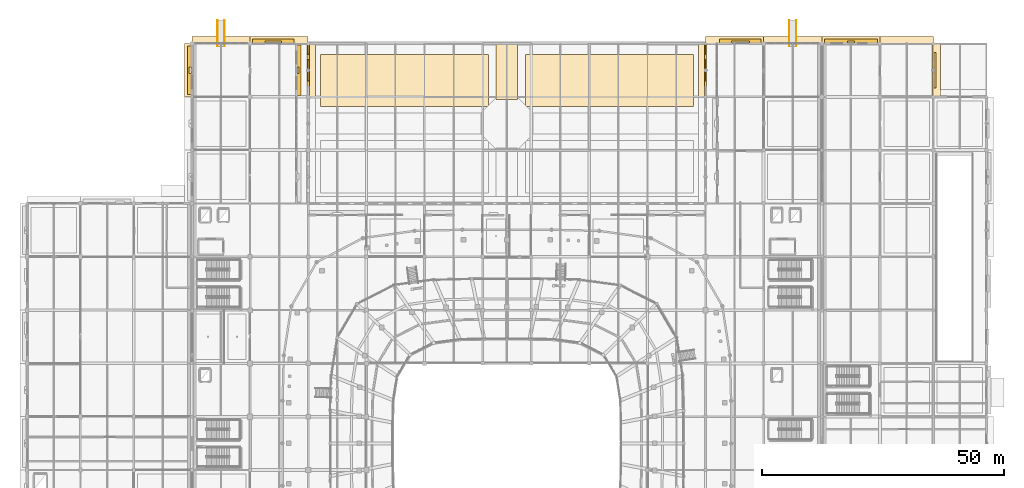
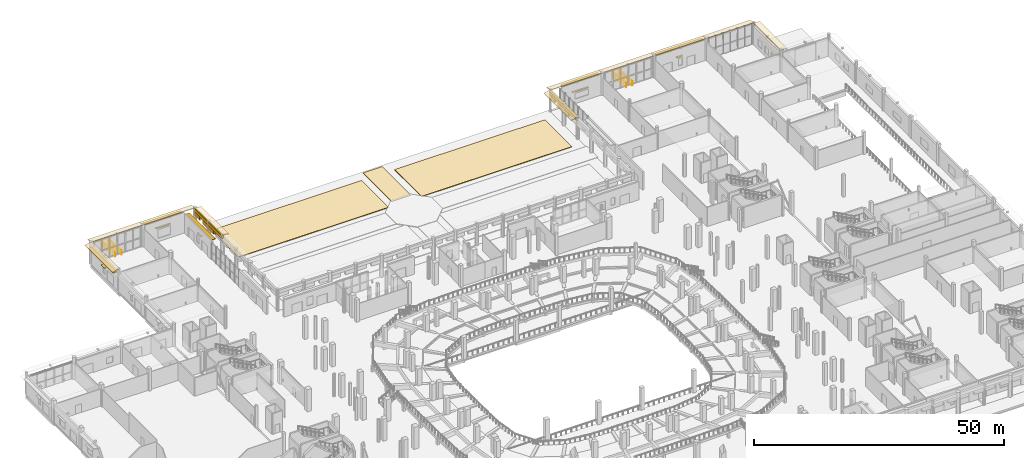
# One storey, part 120 of 120: 29 coverings, 5 shading devices, 4 railings.
"""IFC4 building model written with IfcOpenShell, lengths in metres."""

from ifc_helpers import new_model, si_unit, direction, frame, origin, origin_2d, place, context, subcontext, project, spatial, polyline, rectangle, circle, outline, extrude, material, layer, layer_set, type_object, element, save


model = new_model("IFC4")

# Units and contexts
model_context = context("Model", 3, precision=1e-05, world=origin(), true_north=direction((0.0, 1.0)))
body_context = subcontext(model_context, "Body", "Model", "MODEL_VIEW")
ifc_project = project(units=[si_unit("LENGTHUNIT", "METRE"), si_unit("AREAUNIT", "SQUARE_METRE"), si_unit("VOLUMEUNIT", "CUBIC_METRE"), si_unit("PLANEANGLEUNIT", "RADIAN"), si_unit("MASSUNIT", "GRAM", prefix="KILO")], contexts=[model_context])

# Site, building, storey
site_placement = place(None, origin())
site = spatial("IfcSite", under=ifc_project, at=site_placement, CompositionType="ELEMENT")
building_placement = place(site_placement, origin())
building = spatial("IfcBuilding", under=site, at=building_placement, Name="Luwafu Chhajja Arena", CompositionType="ELEMENT")
storey_placement = place(building_placement, origin())
storey = spatial("IfcBuildingStorey", under=building, at=storey_placement, Name="L00", CompositionType="ELEMENT", Elevation=0.0)

# Coverings
ifc_material_1 = material(Name="Red laterite sandstone cladding", Category="masonry")
ifc_layer_1 = layer(ifc_material_1, 0.074951171875, Name="Red laterite sandstone cladding")
ifc_layer_set_1 = layer_set([ifc_layer_1], Name="Red laterite sandstone cladding")
covering_type_1 = type_object("IfcCoveringType", Name="Dressed Red-Laterite Sandstone Cladding", PredefinedType="CLADDING", material=ifc_layer_set_1)
covering_1_placement = place(storey_placement, frame((58.0, 123.75, 4.33984375), z_axis=(0.0, 0.0, 1.0), x_axis=(0.0, 1.0, 0.0)))
element("IfcCovering", 1, at=covering_1_placement, inside=storey, type_object=covering_type_1, Name="L00 Mughal Riwaq Arcade Arch Frieze CHW-37", PredefinedType="CLADDING", context=body_context, shape_type="SweptSolid", body=[
    extrude(rectangle(XDim=5.5, YDim=0.43994140625, at=origin_2d()), origin(), (0.0, 0.0, 1.0), 0.719970703125),
])
covering_2_placement = place(storey_placement, frame((58.0, 125.39990234375, 3.43994140625), z_axis=(0.0, 0.0, 1.0), x_axis=(0.0, 1.0, 0.0)))
element("IfcCovering", 2, at=covering_2_placement, inside=storey, type_object=covering_type_1, Name="L00 Mughal Riwaq Corbelled Arch Haunch CHW-37B", PredefinedType="CLADDING", context=body_context, shape_type="SweptSolid", body=[
    extrude(rectangle(XDim=2.199951171875, YDim=0.39990234375, at=origin_2d()), origin(), (0.0, 0.0, 1.0), 0.9599609375),
])
covering_3_placement = place(storey_placement, frame((58.0, 129.25, 4.33984375), z_axis=(0.0, 0.0, 1.0), x_axis=(0.0, 1.0, 0.0)))
element("IfcCovering", 3, at=covering_3_placement, inside=storey, type_object=covering_type_1, Name="L00 Mughal Riwaq Arcade Arch Frieze CHW-38", PredefinedType="CLADDING", context=body_context, shape_type="SweptSolid", body=[
    extrude(rectangle(XDim=5.5, YDim=0.43994140625, at=origin_2d()), origin(), (0.0, 0.0, 1.0), 0.719970703125),
])
for number, where, z_axis, x_axis, name in (
    (4, (58.0, 127.60009765625, 3.43994140625), (0.0, 0.0, 1.0), (0.0, 1.0, 0.0), "L00 Mughal Riwaq Corbelled Arch Haunch CHW-38A"),
    (5, (58.0, 130.89990234375, 3.43994140625), (0.0, 0.0, 1.0), (0.0, 1.0, 0.0), "L00 Mughal Riwaq Corbelled Arch Haunch CHW-38B"),
):
    element("IfcCovering", number, at=place(storey_placement, frame(where, z_axis=z_axis, x_axis=x_axis)), inside=storey, type_object=covering_type_1, Name=name, PredefinedType="CLADDING", context=body_context, shape_type="SweptSolid", body=[
        extrude(rectangle(XDim=2.199951171875, YDim=0.39990234375, at=origin_2d()), origin(), (0.0, 0.0, 1.0), 0.9599609375),
    ])
covering_4_placement = place(storey_placement, frame((140.0, 123.75, 4.33984375), z_axis=(0.0, 0.0, 1.0), x_axis=(0.0, 1.0, 0.0)))
element("IfcCovering", 6, at=covering_4_placement, inside=storey, type_object=covering_type_1, Name="L00 Mughal Riwaq Arcade Arch Frieze CHE-39", PredefinedType="CLADDING", context=body_context, shape_type="SweptSolid", body=[
    extrude(rectangle(XDim=5.5, YDim=0.43994140625, at=origin_2d()), origin(), (0.0, 0.0, 1.0), 0.719970703125),
])
covering_5_placement = place(storey_placement, frame((140.0, 125.39990234375, 3.43994140625), z_axis=(0.0, 0.0, 1.0), x_axis=(0.0, 1.0, 0.0)))
element("IfcCovering", 7, at=covering_5_placement, inside=storey, type_object=covering_type_1, Name="L00 Mughal Riwaq Corbelled Arch Haunch CHE-39B", PredefinedType="CLADDING", context=body_context, shape_type="SweptSolid", body=[
    extrude(rectangle(XDim=2.199951171875, YDim=0.39990234375, at=origin_2d()), origin(), (0.0, 0.0, 1.0), 0.9599609375),
])
covering_6_placement = place(storey_placement, frame((140.0, 129.25, 4.33984375), z_axis=(0.0, 0.0, 1.0), x_axis=(0.0, 1.0, 0.0)))
element("IfcCovering", 8, at=covering_6_placement, inside=storey, type_object=covering_type_1, Name="L00 Mughal Riwaq Arcade Arch Frieze CHE-40", PredefinedType="CLADDING", context=body_context, shape_type="SweptSolid", body=[
    extrude(rectangle(XDim=5.5, YDim=0.43994140625, at=origin_2d()), origin(), (0.0, 0.0, 1.0), 0.719970703125),
])
for number, where, z_axis, x_axis, name in (
    (9, (140.0, 127.60009765625, 3.43994140625), (0.0, 0.0, 1.0), (0.0, 1.0, 0.0), "L00 Mughal Riwaq Corbelled Arch Haunch CHE-40A"),
    (10, (140.0, 130.89990234375, 3.43994140625), (0.0, 0.0, 1.0), (0.0, 1.0, 0.0), "L00 Mughal Riwaq Corbelled Arch Haunch CHE-40B"),
):
    element("IfcCovering", number, at=place(storey_placement, frame(where, z_axis=z_axis, x_axis=x_axis)), inside=storey, type_object=covering_type_1, Name=name, PredefinedType="CLADDING", context=body_context, shape_type="SweptSolid", body=[
        extrude(rectangle(XDim=2.199951171875, YDim=0.39990234375, at=origin_2d()), origin(), (0.0, 0.0, 1.0), 0.9599609375),
    ])
covering_7_placement = place(storey_placement, frame((0.0, 0.0, -0.02001953125)))
element("IfcCovering", 11, at=covering_7_placement, inside=storey, type_object=covering_type_1, Name="L00 Charbagh N Axial Sandstone Garden Walkway", PredefinedType="CLADDING", context=body_context, shape_type="SweptSolid", body=[
    extrude(outline(polyline([(96.800048828125, 120.5), (101.199951171875, 120.5), (101.199951171875, 132.0), (96.800048828125, 132.0), (96.800048828125, 120.5)])), origin(), (0.0, 0.0, 1.0), 0.10009765625),
])
covering_8_placement = place(storey_placement, frame((34.0, 131.800048828125, 5.360107421875), z_axis=(0.0, 0.242635142566, 0.970117615339), x_axis=(1.0, 0.0, 0.0)))
element("IfcCovering", 12, at=covering_8_placement, inside=storey, type_object=covering_type_1, Name="L00 Continuous Sloped Sandstone Chhajja Eave 0019", PredefinedType="CLADDING", context=body_context, shape_type="SweptSolid", body=[
    extrude(outline(polyline([(0.0, 0.0), (12.0, 0.0), (12.0, 1.7316783182390405), (0.0, 1.7316783182390405), (0.0, 0.0)])), origin(), (0.0, 0.0, -1.0), 0.1298828125),
])
covering_9_placement = place(storey_placement, frame((34.199951171875, 121.0, 5.360107421875), z_axis=(-0.242635142566, 0.0, 0.970117615339), x_axis=(0.0, 1.0, 0.0)))
element("IfcCovering", 13, at=covering_9_placement, inside=storey, type_object=covering_type_1, Name="L00 Continuous Sloped Sandstone Chhajja Eave 0020", PredefinedType="CLADDING", context=body_context, shape_type="SweptSolid", body=[
    extrude(outline(polyline([(0.0, 0.0), (11.0, 0.0), (11.0, 1.7316783182390405), (0.0, 1.7316783182390405), (0.0, 0.0)])), origin(), (0.0, 0.0, -1.0), 0.1298828125),
])
covering_10_placement = place(storey_placement, frame((46.0, 131.800048828125, 5.360107421875), z_axis=(0.0, 0.242635142566, 0.970117615339), x_axis=(1.0, 0.0, 0.0)))
element("IfcCovering", 14, at=covering_10_placement, inside=storey, type_object=covering_type_1, Name="L00 Continuous Sloped Sandstone Chhajja Eave 0025", PredefinedType="CLADDING", context=body_context, shape_type="SweptSolid", body=[
    extrude(outline(polyline([(0.0, 0.0), (12.0, 0.0), (12.0, 1.7316783182390405), (0.0, 1.7316783182390405), (0.0, 0.0)])), origin(), (0.0, 0.0, -1.0), 0.1298828125),
])
covering_11_placement = place(storey_placement, frame((57.800048828125, 121.0, 5.360107421875), z_axis=(0.242635142566, 0.0, 0.970117615339), x_axis=(0.0, 1.0, 0.0)))
element("IfcCovering", 15, at=covering_11_placement, inside=storey, type_object=covering_type_1, Name="L00 Continuous Sloped Sandstone Chhajja Eave 0026", PredefinedType="CLADDING", context=body_context, shape_type="SweptSolid", body=[
    extrude(outline(polyline([(0.0, 0.0), (11.0, 0.0), (11.0, -1.7316783182390405), (0.0, -1.7316783182390405), (0.0, 0.0)])), origin(), (0.0, 0.0, -1.0), 0.1298828125),
])
covering_12_placement = place(storey_placement, frame((140.0, 131.800048828125, 5.360107421875), z_axis=(0.0, 0.242635142566, 0.970117615339), x_axis=(1.0, 0.0, 0.0)))
element("IfcCovering", 16, at=covering_12_placement, inside=storey, type_object=covering_type_1, Name="L00 Continuous Sloped Sandstone Chhajja Eave 0038", PredefinedType="CLADDING", context=body_context, shape_type="SweptSolid", body=[
    extrude(outline(polyline([(0.0, 0.0), (12.0, 0.0), (12.0, 1.7316783182390405), (0.0, 1.7316783182390405), (0.0, 0.0)])), origin(), (0.0, 0.0, -1.0), 0.1298828125),
])
covering_13_placement = place(storey_placement, frame((140.199951171875, 121.0, 5.360107421875), z_axis=(-0.242635142566, 0.0, 0.970117615339), x_axis=(0.0, 1.0, 0.0)))
element("IfcCovering", 17, at=covering_13_placement, inside=storey, type_object=covering_type_1, Name="L00 Continuous Sloped Sandstone Chhajja Eave 0039", PredefinedType="CLADDING", context=body_context, shape_type="SweptSolid", body=[
    extrude(outline(polyline([(0.0, 0.0), (11.0, 0.0), (11.0, 1.7316783182390405), (0.0, 1.7316783182390405), (0.0, 0.0)])), origin(), (0.0, 0.0, -1.0), 0.1298828125),
])
for number, where, z_axis, x_axis, name in (
    (18, (152.0, 131.800048828125, 5.360107421875), (0.0, 0.242635142566, 0.970117615339), (1.0, 0.0, 0.0), "L00 Continuous Sloped Sandstone Chhajja Eave 0041"),
    (19, (164.0, 131.800048828125, 5.360107421875), (0.0, 0.242635142566, 0.970117615339), (1.0, 0.0, 0.0), "L00 Continuous Sloped Sandstone Chhajja Eave 0043"),
):
    element("IfcCovering", number, at=place(storey_placement, frame(where, z_axis=z_axis, x_axis=x_axis)), inside=storey, type_object=covering_type_1, Name=name, PredefinedType="CLADDING", context=body_context, shape_type="SweptSolid", body=[
        extrude(outline(polyline([(0.0, 0.0), (12.0, 0.0), (12.0, 1.7316783182390405), (0.0, 1.7316783182390405), (0.0, 0.0)])), origin(), (0.0, 0.0, -1.0), 0.1298828125),
    ])
covering_14_placement = place(storey_placement, frame((176.0, 131.800048828125, 5.360107421875), z_axis=(0.0, 0.242635142566, 0.970117615339), x_axis=(1.0, 0.0, 0.0)))
element("IfcCovering", 20, at=covering_14_placement, inside=storey, type_object=covering_type_1, Name="L00 Continuous Sloped Sandstone Chhajja Eave 0045", PredefinedType="CLADDING", context=body_context, shape_type="SweptSolid", body=[
    extrude(outline(polyline([(0.0, 0.0), (11.0, 0.0), (11.0, 1.7316783182390405), (0.0, 1.7316783182390405), (0.0, 0.0)])), origin(), (0.0, 0.0, -1.0), 0.1298828125),
])
covering_15_placement = place(storey_placement, frame((186.800048828125, 121.0, 5.360107421875), z_axis=(0.242635142566, 0.0, 0.970117615339), x_axis=(0.0, 1.0, 0.0)))
element("IfcCovering", 21, at=covering_15_placement, inside=storey, type_object=covering_type_1, Name="L00 Continuous Sloped Sandstone Chhajja Eave 0046", PredefinedType="CLADDING", context=body_context, shape_type="SweptSolid", body=[
    extrude(outline(polyline([(0.0, 0.0), (11.0, 0.0), (11.0, -1.7316783182390405), (0.0, -1.7316783182390405), (0.0, 0.0)])), origin(), (0.0, 0.0, -1.0), 0.1298828125),
])
covering_16_placement = place(storey_placement, frame((33.659912109375, 126.5, 2.6298828125), z_axis=(0.0, 0.0, 1.0), x_axis=(0.0, 1.0, 0.0)))
element("IfcCovering", 22, at=covering_16_placement, inside=storey, type_object=covering_type_1, Name="L00 Mughal Sandstone Window Chhajja Hood 0156", PredefinedType="CLADDING", context=body_context, shape_type="SweptSolid", body=[
    extrude(rectangle(XDim=1.39990234375, YDim=0.419921875, at=origin_2d()), origin(), (0.0, 0.0, 1.0), 0.139892578125),
])
covering_17_placement = place(storey_placement, frame((50.81005859375, 132.340087890625, 2.97998046875), z_axis=(0.0, 0.0, 1.0), x_axis=(1.0, 0.0, 0.0)))
element("IfcCovering", 23, at=covering_17_placement, inside=storey, type_object=covering_type_1, Name="L00 Mughal Sandstone Window Chhajja Hood 0158", PredefinedType="CLADDING", context=body_context, shape_type="SweptSolid", body=[
    extrude(rectangle(XDim=3.39990234375, YDim=0.419921875, at=origin_2d()), origin(), (0.0, 0.0, 1.0), 0.139892578125),
])
covering_18_placement = place(storey_placement, frame((55.93994140625, 126.5, 2.6298828125), z_axis=(0.0, 0.0, 1.0), x_axis=(0.0, 1.0, 0.0)))
element("IfcCovering", 24, at=covering_18_placement, inside=storey, type_object=covering_type_1, Name="L00 Mughal Sandstone Window Chhajja Hood 0159", PredefinedType="CLADDING", context=body_context, shape_type="SweptSolid", body=[
    extrude(rectangle(XDim=1.39990234375, YDim=0.419921875, at=origin_2d()), origin(), (0.0, 0.0, 1.0), 0.139892578125),
])
covering_19_placement = place(storey_placement, frame((147.18994140625, 132.340087890625, 2.5302734375), z_axis=(0.0, 0.0, 1.0), x_axis=(1.0, 0.0, 0.0)))
element("IfcCovering", 25, at=covering_19_placement, inside=storey, type_object=covering_type_1, Name="L00 Mughal Sandstone Window Chhajja Hood 0166", PredefinedType="CLADDING", context=body_context, shape_type="SweptSolid", body=[
    extrude(rectangle(XDim=3.699951171875, YDim=0.419921875, at=origin_2d()), origin(), (0.0, 0.0, 1.0), 0.139892578125),
])
covering_20_placement = place(storey_placement, frame((170.0, 132.340087890625, 2.6298828125), z_axis=(0.0, 0.0, 1.0), x_axis=(1.0, 0.0, 0.0)))
element("IfcCovering", 26, at=covering_20_placement, inside=storey, type_object=covering_type_1, Name="L00 Mughal Sandstone Window Chhajja Hood 0169", PredefinedType="CLADDING", context=body_context, shape_type="SweptSolid", body=[
    extrude(rectangle(XDim=1.39990234375, YDim=0.419921875, at=origin_2d()), origin(), (0.0, 0.0, 1.0), 0.139892578125),
])
covering_21_placement = place(storey_placement, frame((187.340087890625, 126.5, 2.580078125), z_axis=(0.0, 0.0, 1.0), x_axis=(0.0, 1.0, 0.0)))
element("IfcCovering", 27, at=covering_21_placement, inside=storey, type_object=covering_type_1, Name="L00 Mughal Sandstone Window Chhajja Hood 0171", PredefinedType="CLADDING", context=body_context, shape_type="SweptSolid", body=[
    extrude(rectangle(XDim=7.3798828125, YDim=0.419921875, at=origin_2d()), origin(), (0.0, 0.0, 1.0), 0.139892578125),
])

# Shading devices
ifc_material_2 = material(Name="Red laterite sandstone chhajja", Category="masonry")
ifc_layer_2 = layer(ifc_material_2, 0.1201171875, Name="Red laterite sandstone chhajja")
ifc_layer_set_2 = layer_set([ifc_layer_2], Name="Red laterite sandstone chhajja")
shading_device_type = type_object("IfcShadingDeviceType", Name="Sloped Red-Sandstone Chhajja Eave", PredefinedType="USERDEFINED", material=ifc_layer_set_2)
shading_device_1_placement = place(storey_placement, frame((33.4599609375, 126.5, 4.22998046875), z_axis=(0.0, 0.0, 1.0), x_axis=(0.0, 1.0, 0.0)))
element("IfcShadingDevice", 28, at=shading_device_1_placement, inside=storey, type_object=shading_device_type, Name="L00 Sloped Red-Sandstone Chhajja Eave 010", ObjectType="CHHAJJA", PredefinedType="USERDEFINED", context=body_context, shape_type="SweptSolid", body=[
    extrude(rectangle(XDim=9.9599609375, YDim=0.820068359375, at=origin_2d()), origin(), (0.0, 0.0, 1.0), 0.1201171875),
])
shading_device_2_placement = place(storey_placement, frame((50.81005859375, 132.5400390625, 4.844970703125), z_axis=(0.0, 0.0, 1.0), x_axis=(1.0, 0.0, 0.0)))
element("IfcShadingDevice", 29, at=shading_device_2_placement, inside=storey, type_object=shading_device_type, Name="L00 Sloped Red-Sandstone Chhajja Eave 013", ObjectType="CHHAJJA", PredefinedType="USERDEFINED", context=body_context, shape_type="SweptSolid", body=[
    extrude(rectangle(XDim=8.580078125, YDim=0.820068359375, at=origin_2d()), origin(), (0.0, 0.0, 1.0), 0.1201171875),
])
shading_device_3_placement = place(storey_placement, frame((56.139892578125, 126.5, 4.5234375), z_axis=(0.0, 0.0, 1.0), x_axis=(0.0, 1.0, 0.0)))
element("IfcShadingDevice", 30, at=shading_device_3_placement, inside=storey, type_object=shading_device_type, Name="L00 Sloped Red-Sandstone Chhajja Eave 014", ObjectType="CHHAJJA", PredefinedType="USERDEFINED", context=body_context, shape_type="SweptSolid", body=[
    extrude(rectangle(XDim=10.39990234375, YDim=0.820068359375, at=origin_2d()), origin(), (0.0, 0.0, 1.0), 0.1201171875),
])
shading_device_4_placement = place(storey_placement, frame((147.18994140625, 132.5400390625, 4.844970703125), z_axis=(0.0, 0.0, 1.0), x_axis=(1.0, 0.0, 0.0)))
element("IfcShadingDevice", 31, at=shading_device_4_placement, inside=storey, type_object=shading_device_type, Name="L00 Sloped Red-Sandstone Chhajja Eave 022", ObjectType="CHHAJJA", PredefinedType="USERDEFINED", context=body_context, shape_type="SweptSolid", body=[
    extrude(rectangle(XDim=8.580078125, YDim=0.820068359375, at=origin_2d()), origin(), (0.0, 0.0, 1.0), 0.1201171875),
])
shading_device_5_placement = place(storey_placement, frame((170.0, 132.5400390625, 4.844970703125), z_axis=(0.0, 0.0, 1.0), x_axis=(1.0, 0.0, 0.0)))
element("IfcShadingDevice", 32, at=shading_device_5_placement, inside=storey, type_object=shading_device_type, Name="L00 Sloped Red-Sandstone Chhajja Eave 024", ObjectType="CHHAJJA", PredefinedType="USERDEFINED", context=body_context, shape_type="SweptSolid", body=[
    extrude(rectangle(XDim=10.9599609375, YDim=0.820068359375, at=origin_2d()), origin(), (0.0, 0.0, 1.0), 0.1201171875),
])

# Railings
ifc_material_3 = material(Name="Stainless steel balustrade", Category="steel")
railing_type = type_object("IfcRailingType", Name="Stair and Terrace Guard Balustrade 1100", PredefinedType="BALUSTRADE", material=ifc_material_3)
for number, where, name in (
    (33, (39.280029296875, 136.85009765625, -0.449951171875), "Ramp RA-04 Guard L"),
    (34, (40.719970703125, 136.85009765625, -0.449951171875), "Ramp RA-04 Guard R"),
    (35, (157.280029296875, 136.85009765625, -0.449951171875), "Ramp RA-05 Guard L"),
    (36, (158.719970703125, 136.85009765625, -0.449951171875), "Ramp RA-05 Guard R"),
):
    element("IfcRailing", number, at=place(storey_placement, frame(where)), inside=storey, type_object=railing_type, Name=name, PredefinedType="BALUSTRADE", context=body_context, shape_type="SweptSolid", body=[
        extrude(circle(Radius=0.02392578125, at=origin_2d()), frame((0.0, 0.0, 1.09619140625), z_axis=(0.0, -0.996546690331, 0.083034294059), x_axis=(1.0, 0.0, 0.0)), (0.0, 0.0, 1.0), 5.4189453125),
        extrude(circle(Radius=0.02099609375, at=origin_2d()), origin(), (0.0, 0.0, 1.0), 1.072021484375),
        extrude(circle(Radius=0.02099609375, at=origin_2d()), frame((0.0, -1.080078125, 0.090087890625)), (0.0, 0.0, 1.0), 1.072021484375),
        extrude(circle(Radius=0.02099609375, at=origin_2d()), frame((0.0, -2.16015625, 0.179931640625)), (0.0, 0.0, 1.0), 1.072021484375),
        extrude(circle(Radius=0.02099609375, at=origin_2d()), frame((0.0, -3.239990234375, 0.27001953125)), (0.0, 0.0, 1.0), 1.072021484375),
        extrude(circle(Radius=0.02099609375, at=origin_2d()), frame((0.0, -4.320068359375, 0.35986328125)), (0.0, 0.0, 1.0), 1.072021484375),
        extrude(circle(Radius=0.02099609375, at=origin_2d()), frame((0.0, -5.400146484375, 0.449951171875)), (0.0, 0.0, 1.0), 1.072021484375),
    ])

# Coverings
ifc_material_4 = material(Name="White architectural roof membrane")
ifc_layer_3 = layer(ifc_material_4, 0.06005859375, Name="White architectural roof membrane")
ifc_layer_set_3 = layer_set([ifc_layer_3], Name="White architectural roof membrane")
covering_type_2 = type_object("IfcCoveringType", Name="White Architectural Standing-Seam Roofing", PredefinedType="ROOFING", material=ifc_layer_set_3)
covering_22_placement = place(storey_placement, origin())
element("IfcCovering", 37, at=covering_22_placement, inside=storey, type_object=covering_type_2, Name="L00 Charbagh Parterre Quadrant Border 3", PredefinedType="ROOFING", context=body_context, shape_type="SweptSolid", body=[
    extrude(outline(polyline([(60.5, 119.0), (95.199951171875, 119.0), (95.199951171875, 129.800048828125), (60.5, 129.800048828125), (60.5, 119.0)])), origin(), (0.0, 0.0, 1.0), 0.139892578125),
])
covering_23_placement = place(storey_placement, origin())
element("IfcCovering", 38, at=covering_23_placement, inside=storey, type_object=covering_type_2, Name="L00 Charbagh Parterre Quadrant Border 4", PredefinedType="ROOFING", context=body_context, shape_type="SweptSolid", body=[
    extrude(outline(polyline([(102.800048828125, 119.0), (137.5, 119.0), (137.5, 129.800048828125), (102.800048828125, 129.800048828125), (102.800048828125, 119.0)])), origin(), (0.0, 0.0, 1.0), 0.139892578125),
])

save(model, "model.ifc")
